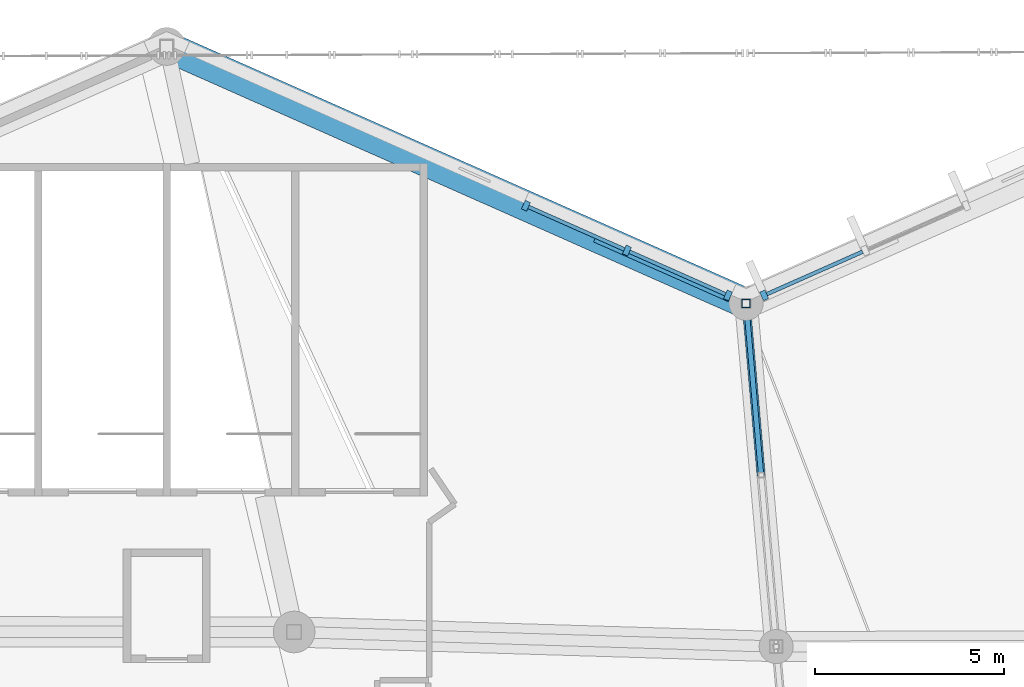
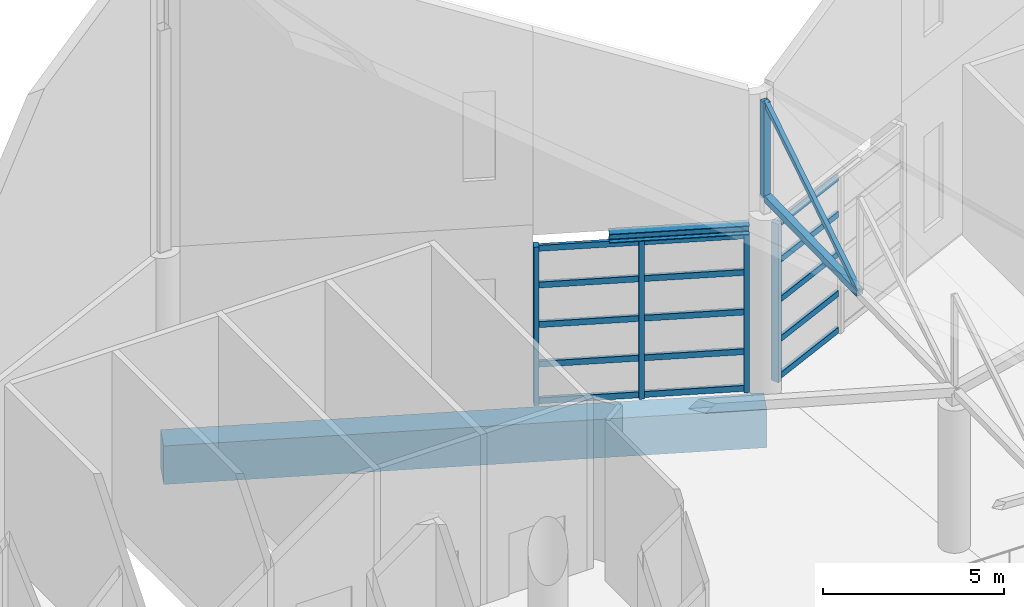
# One storey, part 166 of 344: 22 members, 2 beams, 2 elements without a shape of their own.
"""IFC4 building model written with IfcOpenShell, lengths in metres."""

from ifc_helpers import new_model, si_unit, direction, frame, origin, origin_2d, place, context, subcontext, project, spatial, rectangle, hollow_rectangle, i_section, extrude, material, layer, layer_set, material_profile, profile_set, type_object, element, aggregate, save


model = new_model("IFC4")

# Units and contexts
model_context = context("Model", 3, precision=1e-05, world=origin(), true_north=direction((0.0, 1.0)))
body_context = subcontext(model_context, "Body", "Model", "MODEL_VIEW")
ifc_project = project(units=[si_unit("LENGTHUNIT", "METRE"), si_unit("AREAUNIT", "SQUARE_METRE"), si_unit("VOLUMEUNIT", "CUBIC_METRE"), si_unit("PLANEANGLEUNIT", "RADIAN"), si_unit("MASSUNIT", "GRAM", prefix="KILO")], contexts=[model_context])

# Site, building, storey
site_placement = place(None, origin())
site = spatial("IfcSite", under=ifc_project, at=site_placement, CompositionType="ELEMENT")
building_placement = place(site_placement, origin())
building = spatial("IfcBuilding", under=site, at=building_placement, Name="Meseta Stadium", CompositionType="ELEMENT")
storey_placement = place(building_placement, frame((0.0, 0.0, 24.0)))
storey = spatial("IfcBuildingStorey", under=building, at=storey_placement, Name="L04", CompositionType="ELEMENT", Elevation=24.0)

# Beam
ifc_material_1 = material(Name="Steel S355", Category="steel")
ifc_material_profile_1 = material_profile(ifc_material_1, i_section(OverallWidth=0.300048828125, OverallDepth=0.300048828125, WebThickness=0.010986328125, FlangeThickness=0.01904296875, FilletRadius=0.027099609375, at=origin_2d()), Name="HEB 300")
ifc_profile_set_1 = profile_set([ifc_material_profile_1], Name="Steel S355")
beam_type_1 = type_object("IfcBeamType", Name="Atrium lintel beam HEB 300", PredefinedType="BEAM", material=ifc_profile_set_1)
beam_1_placement = place(storey_placement, frame((-8.07763671875, 98.7822265625, 5.5), z_axis=(-0.914141668721, 0.405394880959, 0.0), x_axis=(-0.405394880959, -0.914141668721, 0.0)))
element("IfcBeam", 1, at=beam_1_placement, inside=storey, type_object=beam_type_1, Name="Atrium lintel beam F19", PredefinedType="BEAM", context=body_context, shape_type="SweptSolid", body=[
    extrude(i_section(OverallWidth=0.300048828125, OverallDepth=0.300048828125, WebThickness=0.010986328125, FlangeThickness=0.01904296875, FilletRadius=0.027099609375, at=origin_2d()), origin(), (0.0, 0.0, 1.0), 3.900146484375),
])

# Curtain wall, member
ifc_material_2 = material(Name="Steel S355", Category="steel")
ifc_layer = layer(ifc_material_2, 0.300048828125)
ifc_layer_set = layer_set([ifc_layer], Name="Valley atrium curtain wall")
curtain_wall_type = type_object("IfcCurtainWallType", Name="Valley atrium curtain wall", PredefinedType="NOTDEFINED", material=ifc_layer_set)
curtain_wall_1_placement = place(storey_placement, origin())
curtain_wall_1 = element("IfcCurtainWall", 2, at=curtain_wall_1_placement, inside=storey, type_object=curtain_wall_type, Name="Valley atrium glazing F18", PredefinedType="NOTDEFINED")
ifc_material_3 = material(Name="Steel S355", Category="steel")
ifc_material_profile_2 = material_profile(ifc_material_3, rectangle(XDim=0.25, YDim=0.14990234375, at=origin_2d()), Name="CW 250x150")
ifc_profile_set_2 = profile_set([ifc_material_profile_2], Name="Steel S355")
member_type_1 = type_object("IfcMemberType", Name="CW mullion bar 250x150", PredefinedType="MULLION", material=ifc_profile_set_2)
member_1_placement = place(storey_placement, frame((-7.18701171875, 98.812744140625, 0.0), z_axis=(0.0, 0.0, 1.0), x_axis=(0.405400794526, -0.914139046206, 0.0)))
member_1 = element("IfcMember", 3, at=member_1_placement, type_object=member_type_1, Name="CWA mullion 3", PredefinedType="MULLION", context=body_context, shape_type="SweptSolid", body=[
    extrude(rectangle(XDim=0.25, YDim=0.14990234375, at=origin_2d()), origin(), (0.0, 0.0, 1.0), 5.35009765625),
])

# Curtain wall, members
curtain_wall_2_placement = place(storey_placement, origin())
curtain_wall_2 = element("IfcCurtainWall", 4, at=curtain_wall_2_placement, inside=storey, type_object=curtain_wall_type, Name="Valley atrium glazing F19", PredefinedType="NOTDEFINED")
member_2_placement = place(storey_placement, frame((-8.146240234375, 98.812744140625, 0.0), z_axis=(0.0, 0.0, 1.0), x_axis=(-0.405400794462, -0.914139046234, 0.0)))
member_2 = element("IfcMember", 5, at=member_2_placement, type_object=member_type_1, Name="CWA mullion 1", PredefinedType="MULLION", context=body_context, shape_type="SweptSolid", body=[
    extrude(rectangle(XDim=0.25, YDim=0.14990234375, at=origin_2d()), origin(), (0.0, 0.0, 1.0), 5.35009765625),
])
member_3_placement = place(storey_placement, frame((-10.820068359375, 99.99853515625, 0.0), z_axis=(0.0, 0.0, 1.0), x_axis=(-0.405400794462, -0.914139046234, 0.0)))
member_3 = element("IfcMember", 6, at=member_3_placement, type_object=member_type_1, Name="CWA mullion 2", PredefinedType="MULLION", context=body_context, shape_type="SweptSolid", body=[
    extrude(rectangle(XDim=0.25, YDim=0.14990234375, at=origin_2d()), origin(), (0.0, 0.0, 1.0), 5.35009765625),
])
member_4_placement = place(storey_placement, frame((-13.493896484375, 101.184326171875, 0.0), z_axis=(0.0, 0.0, 1.0), x_axis=(-0.405400794462, -0.914139046234, 0.0)))
member_4 = element("IfcMember", 7, at=member_4_placement, type_object=member_type_1, Name="CWA mullion 3", PredefinedType="MULLION", context=body_context, shape_type="SweptSolid", body=[
    extrude(rectangle(XDim=0.25, YDim=0.14990234375, at=origin_2d()), origin(), (0.0, 0.0, 1.0), 5.35009765625),
])

# Member
ifc_material_4 = material(Name="Steel S355", Category="steel")
ifc_material_profile_3 = material_profile(ifc_material_4, hollow_rectangle(XDim=0.10009765625, YDim=0.199951171875, WallThickness=0.008056640625, at=origin_2d()), Name="RHS 200x100x8")
ifc_profile_set_3 = profile_set([ifc_material_profile_3], Name="Steel S355")
member_type_2 = type_object("IfcMemberType", Name="CW transom RHS 200x100x8", PredefinedType="USERDEFINED", material=ifc_profile_set_3)
member_5_placement = place(storey_placement, frame((-4.581787109375, 99.968017578125, 0.10009765625), z_axis=(-0.914144999703, -0.405387369707, 0.0), x_axis=(0.405387369707, -0.914144999703, 0.0)))
member_5 = element("IfcMember", 8, at=member_5_placement, type_object=member_type_2, Name="CWA transom 2.1", ObjectType="TRANSOM", PredefinedType="USERDEFINED", context=body_context, shape_type="SweptSolid", body=[
    extrude(hollow_rectangle(XDim=0.10009765625, YDim=0.199951171875, WallThickness=0.008056640625, at=origin_2d()), origin(), (0.0, 0.0, 1.0), 2.775146484375),
])

member_6_placement = place(storey_placement, frame((-4.581787109375, 99.968017578125, 1.33740234375), z_axis=(-0.914144999703, -0.405387369707, 0.0), x_axis=(0.405387369707, -0.914144999703, 0.0)))
member_6 = element("IfcMember", 9, at=member_6_placement, type_object=member_type_2, Name="CWA transom 2.2", ObjectType="TRANSOM", PredefinedType="USERDEFINED", context=body_context, shape_type="SweptSolid", body=[
    extrude(hollow_rectangle(XDim=0.10009765625, YDim=0.199951171875, WallThickness=0.008056640625, at=origin_2d()), origin(), (0.0, 0.0, 1.0), 2.775146484375),
])

member_7_placement = place(storey_placement, frame((-4.581787109375, 99.968017578125, 2.675048828125), z_axis=(-0.914144999703, -0.405387369707, 0.0), x_axis=(0.405387369707, -0.914144999703, 0.0)))
member_7 = element("IfcMember", 10, at=member_7_placement, type_object=member_type_2, Name="CWA transom 2.3", ObjectType="TRANSOM", PredefinedType="USERDEFINED", context=body_context, shape_type="SweptSolid", body=[
    extrude(hollow_rectangle(XDim=0.10009765625, YDim=0.199951171875, WallThickness=0.008056640625, at=origin_2d()), origin(), (0.0, 0.0, 1.0), 2.775146484375),
])

member_8_placement = place(storey_placement, frame((-4.581787109375, 99.968017578125, 4.012451171875), z_axis=(-0.914144999703, -0.405387369707, 0.0), x_axis=(0.405387369707, -0.914144999703, 0.0)))
member_8 = element("IfcMember", 11, at=member_8_placement, type_object=member_type_2, Name="CWA transom 2.4", ObjectType="TRANSOM", PredefinedType="USERDEFINED", context=body_context, shape_type="SweptSolid", body=[
    extrude(hollow_rectangle(XDim=0.10009765625, YDim=0.199951171875, WallThickness=0.008056640625, at=origin_2d()), origin(), (0.0, 0.0, 1.0), 2.775146484375),
])

member_9_placement = place(storey_placement, frame((-4.581787109375, 99.968017578125, 5.25), z_axis=(-0.914144999703, -0.405387369707, 0.0), x_axis=(0.405387369707, -0.914144999703, 0.0)))
member_9 = element("IfcMember", 12, at=member_9_placement, type_object=member_type_2, Name="CWA transom 2.5", ObjectType="TRANSOM", PredefinedType="USERDEFINED", context=body_context, shape_type="SweptSolid", body=[
    extrude(hollow_rectangle(XDim=0.10009765625, YDim=0.199951171875, WallThickness=0.008056640625, at=origin_2d()), origin(), (0.0, 0.0, 1.0), 2.775146484375),
])

aggregate(curtain_wall_1, [member_1, member_5, member_6, member_7, member_8, member_9])

member_10_placement = place(storey_placement, frame((-8.21484375, 98.843017578125, 0.10009765625), z_axis=(-0.914130540293, 0.405419973982, 0.0), x_axis=(-0.405419973982, -0.914130540293, 0.0)))
member_10 = element("IfcMember", 13, at=member_10_placement, type_object=member_type_2, Name="CWA transom 1.1", ObjectType="TRANSOM", PredefinedType="USERDEFINED", context=body_context, shape_type="SweptSolid", body=[
    extrude(hollow_rectangle(XDim=0.10009765625, YDim=0.199951171875, WallThickness=0.008056640625, at=origin_2d()), origin(), (0.0, 0.0, 1.0), 2.77490234375),
])

member_11_placement = place(storey_placement, frame((-8.21484375, 98.843017578125, 1.33740234375), z_axis=(-0.914130540293, 0.405419973982, 0.0), x_axis=(-0.405419973982, -0.914130540293, 0.0)))
member_11 = element("IfcMember", 14, at=member_11_placement, type_object=member_type_2, Name="CWA transom 1.2", ObjectType="TRANSOM", PredefinedType="USERDEFINED", context=body_context, shape_type="SweptSolid", body=[
    extrude(hollow_rectangle(XDim=0.10009765625, YDim=0.199951171875, WallThickness=0.008056640625, at=origin_2d()), origin(), (0.0, 0.0, 1.0), 2.77490234375),
])

member_12_placement = place(storey_placement, frame((-8.21484375, 98.843017578125, 2.675048828125), z_axis=(-0.914130540293, 0.405419973982, 0.0), x_axis=(-0.405419973982, -0.914130540293, 0.0)))
member_12 = element("IfcMember", 15, at=member_12_placement, type_object=member_type_2, Name="CWA transom 1.3", ObjectType="TRANSOM", PredefinedType="USERDEFINED", context=body_context, shape_type="SweptSolid", body=[
    extrude(hollow_rectangle(XDim=0.10009765625, YDim=0.199951171875, WallThickness=0.008056640625, at=origin_2d()), origin(), (0.0, 0.0, 1.0), 2.77490234375),
])

member_13_placement = place(storey_placement, frame((-8.21484375, 98.843017578125, 4.012451171875), z_axis=(-0.914130540293, 0.405419973982, 0.0), x_axis=(-0.405419973982, -0.914130540293, 0.0)))
member_13 = element("IfcMember", 16, at=member_13_placement, type_object=member_type_2, Name="CWA transom 1.4", ObjectType="TRANSOM", PredefinedType="USERDEFINED", context=body_context, shape_type="SweptSolid", body=[
    extrude(hollow_rectangle(XDim=0.10009765625, YDim=0.199951171875, WallThickness=0.008056640625, at=origin_2d()), origin(), (0.0, 0.0, 1.0), 2.77490234375),
])

member_14_placement = place(storey_placement, frame((-8.21484375, 98.843017578125, 5.25), z_axis=(-0.914130540293, 0.405419973982, 0.0), x_axis=(-0.405419973982, -0.914130540293, 0.0)))
member_14 = element("IfcMember", 17, at=member_14_placement, type_object=member_type_2, Name="CWA transom 1.5", ObjectType="TRANSOM", PredefinedType="USERDEFINED", context=body_context, shape_type="SweptSolid", body=[
    extrude(hollow_rectangle(XDim=0.10009765625, YDim=0.199951171875, WallThickness=0.008056640625, at=origin_2d()), origin(), (0.0, 0.0, 1.0), 2.77490234375),
])

member_15_placement = place(storey_placement, frame((-10.888671875, 100.02880859375, 0.10009765625), z_axis=(-0.914130540293, 0.405419973982, 0.0), x_axis=(-0.405419973982, -0.914130540293, 0.0)))
member_15 = element("IfcMember", 18, at=member_15_placement, type_object=member_type_2, Name="CWA transom 2.1", ObjectType="TRANSOM", PredefinedType="USERDEFINED", context=body_context, shape_type="SweptSolid", body=[
    extrude(hollow_rectangle(XDim=0.10009765625, YDim=0.199951171875, WallThickness=0.008056640625, at=origin_2d()), origin(), (0.0, 0.0, 1.0), 2.77490234375),
])

member_16_placement = place(storey_placement, frame((-10.888671875, 100.02880859375, 1.33740234375), z_axis=(-0.914130540293, 0.405419973982, 0.0), x_axis=(-0.405419973982, -0.914130540293, 0.0)))
member_16 = element("IfcMember", 19, at=member_16_placement, type_object=member_type_2, Name="CWA transom 2.2", ObjectType="TRANSOM", PredefinedType="USERDEFINED", context=body_context, shape_type="SweptSolid", body=[
    extrude(hollow_rectangle(XDim=0.10009765625, YDim=0.199951171875, WallThickness=0.008056640625, at=origin_2d()), origin(), (0.0, 0.0, 1.0), 2.77490234375),
])

member_17_placement = place(storey_placement, frame((-10.888671875, 100.02880859375, 2.675048828125), z_axis=(-0.914130540293, 0.405419973982, 0.0), x_axis=(-0.405419973982, -0.914130540293, 0.0)))
member_17 = element("IfcMember", 20, at=member_17_placement, type_object=member_type_2, Name="CWA transom 2.3", ObjectType="TRANSOM", PredefinedType="USERDEFINED", context=body_context, shape_type="SweptSolid", body=[
    extrude(hollow_rectangle(XDim=0.10009765625, YDim=0.199951171875, WallThickness=0.008056640625, at=origin_2d()), origin(), (0.0, 0.0, 1.0), 2.77490234375),
])

member_18_placement = place(storey_placement, frame((-10.888671875, 100.02880859375, 4.012451171875), z_axis=(-0.914130540293, 0.405419973982, 0.0), x_axis=(-0.405419973982, -0.914130540293, 0.0)))
member_18 = element("IfcMember", 21, at=member_18_placement, type_object=member_type_2, Name="CWA transom 2.4", ObjectType="TRANSOM", PredefinedType="USERDEFINED", context=body_context, shape_type="SweptSolid", body=[
    extrude(hollow_rectangle(XDim=0.10009765625, YDim=0.199951171875, WallThickness=0.008056640625, at=origin_2d()), origin(), (0.0, 0.0, 1.0), 2.77490234375),
])

member_19_placement = place(storey_placement, frame((-10.888671875, 100.02880859375, 5.25), z_axis=(-0.914130540293, 0.405419973982, 0.0), x_axis=(-0.405419973982, -0.914130540293, 0.0)))
member_19 = element("IfcMember", 22, at=member_19_placement, type_object=member_type_2, Name="CWA transom 2.5", ObjectType="TRANSOM", PredefinedType="USERDEFINED", context=body_context, shape_type="SweptSolid", body=[
    extrude(hollow_rectangle(XDim=0.10009765625, YDim=0.199951171875, WallThickness=0.008056640625, at=origin_2d()), origin(), (0.0, 0.0, 1.0), 2.77490234375),
])

aggregate(curtain_wall_2, [member_2, member_3, member_4, member_10, member_11, member_12, member_13, member_14, member_15, member_16, member_17, member_18, member_19])

# Beam
ifc_material_5 = material(Name="Concrete C40/50", Category="concrete")
ifc_material_profile_4 = material_profile(ifc_material_5, rectangle(XDim=0.800048828125, YDim=1.300048828125, at=origin_2d()), Name="RC 800x1300")
ifc_profile_set_4 = profile_set([ifc_material_profile_4], Name="Concrete C40/50")
beam_type_2 = type_object("IfcBeamType", Name="RC beam 800x1300", PredefinedType="BEAM", material=ifc_profile_set_4)
beam_2_placement = place(storey_placement, frame((-7.666748046875, 98.60009765625, -1.050048828125), z_axis=(-0.914142564088, 0.405392861953, 0.0), x_axis=(-0.405392861953, -0.914142564088, 0.0)))
element("IfcBeam", 23, at=beam_2_placement, inside=storey, type_object=beam_type_2, Name="L04 ring beam frame 19 line R", PredefinedType="BEAM", context=body_context, shape_type="SweptSolid", body=[
    extrude(rectangle(XDim=0.800048828125, YDim=1.300048828125, at=origin_2d()), origin(), (0.0, 0.0, 1.0), 16.7734375),
])

# Members
ifc_material_6 = material(Name="Steel S355", Category="steel")
ifc_material_profile_5 = material_profile(ifc_material_6, hollow_rectangle(XDim=0.139892578125, YDim=0.139892578125, WallThickness=0.0048828125, at=origin_2d()), Name="SHS 140x140x5")
ifc_profile_set_5 = profile_set([ifc_material_profile_5], Name="Steel S355")
member_type_3 = type_object("IfcMemberType", Name="SHS 140x140x5 diagonal", PredefinedType="BRACE", material=ifc_profile_set_5)
member_20_placement = place(storey_placement, frame((-7.268798828125, 94.058837890625, 5.876708984375), z_axis=(-0.06659176663, 0.759922362632, 0.646593797827), x_axis=(-0.996182489949, -0.087295170078, 0.0)))
element("IfcMember", 24, at=member_20_placement, inside=storey, type_object=member_type_3, Name="ROOF TRUSS RT-19 diagonal", PredefinedType="BRACE", context=body_context, shape_type="SweptSolid", body=[
    extrude(hollow_rectangle(XDim=0.139892578125, YDim=0.139892578125, WallThickness=0.0048828125, at=origin_2d()), origin(), (0.0, 0.0, 1.0), 5.97607421875),
])
ifc_material_7 = material(Name="Steel S355", Category="steel")
ifc_material_profile_6 = material_profile(ifc_material_7, hollow_rectangle(XDim=0.219970703125, YDim=0.219970703125, WallThickness=0.008056640625, at=origin_2d()), Name="SHS 220x220x8")
ifc_profile_set_6 = profile_set([ifc_material_profile_6], Name="Steel S355")
member_type_4 = type_object("IfcMemberType", Name="SHS 220x220x8 bottom chord", PredefinedType="CHORD", material=ifc_profile_set_6)
member_21_placement = place(storey_placement, frame((-7.268798828125, 94.058837890625, 5.876708984375), z_axis=(-0.086383151398, 0.985777810676, 0.144152901925), x_axis=(-0.996182512779, -0.087294909552, 0.0)))
element("IfcMember", 25, at=member_21_placement, inside=storey, type_object=member_type_4, Name="ROOF TRUSS RT-19 bottom chord", PredefinedType="CHORD", context=body_context, shape_type="SweptSolid", body=[
    extrude(hollow_rectangle(XDim=0.219970703125, YDim=0.219970703125, WallThickness=0.008056640625, at=origin_2d()), origin(), (0.0, 0.0, 1.0), 4.49658203125),
])
ifc_material_8 = material(Name="Steel S355", Category="steel")
ifc_material_profile_7 = material_profile(ifc_material_8, hollow_rectangle(XDim=0.219970703125, YDim=0.219970703125, WallThickness=0.008056640625, at=origin_2d()), Name="SHS 220x220x8")
ifc_profile_set_7 = profile_set([ifc_material_profile_7], Name="Steel S355")
member_type_5 = type_object("IfcMemberType", Name="SHS 220x220x8 rim post", PredefinedType="POST", material=ifc_profile_set_7)
member_22_placement = place(storey_placement, frame((-7.666748046875, 98.60009765625, 6.540771484375), z_axis=(0.0, 0.0, 1.0), x_axis=(1.0, 0.0, 0.0)))
element("IfcMember", 26, at=member_22_placement, inside=storey, type_object=member_type_5, Name="ROOF TRUSS RT-19 post", PredefinedType="POST", context=body_context, shape_type="SweptSolid", body=[
    extrude(hollow_rectangle(XDim=0.219970703125, YDim=0.219970703125, WallThickness=0.008056640625, at=origin_2d()), origin(), (0.0, 0.0, 1.0), 3.199951171875),
])

save(model, "model.ifc")
